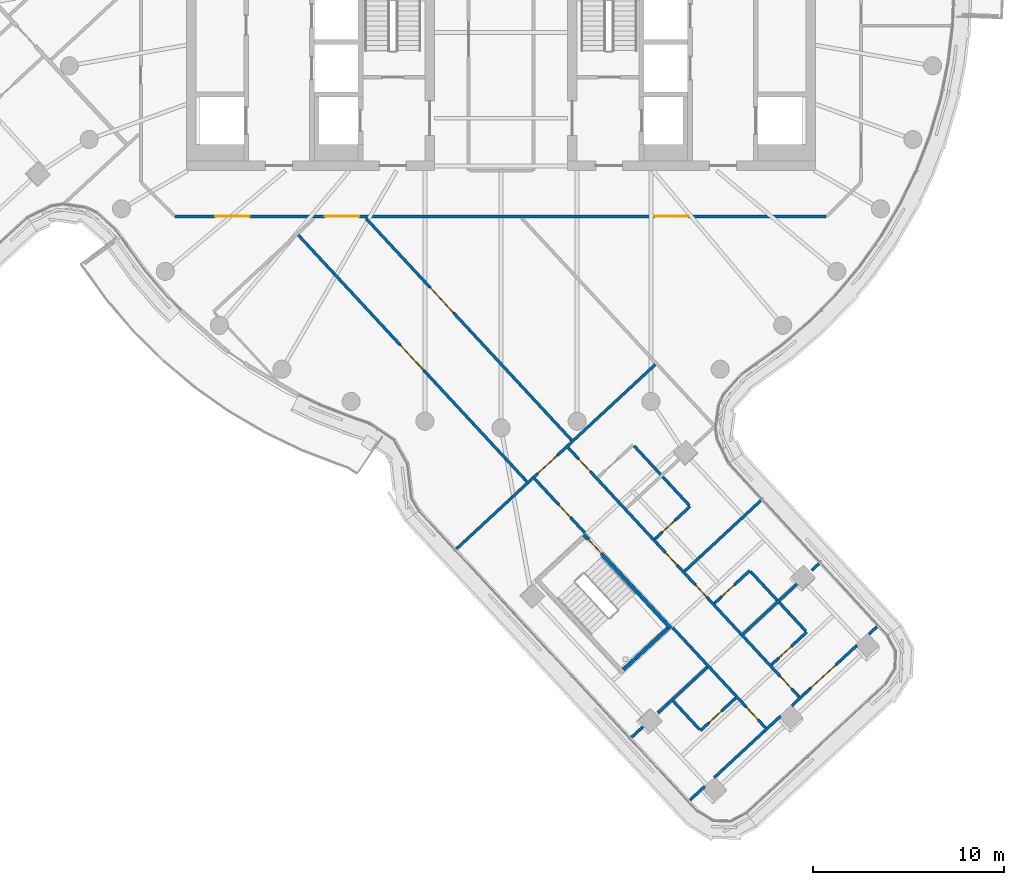
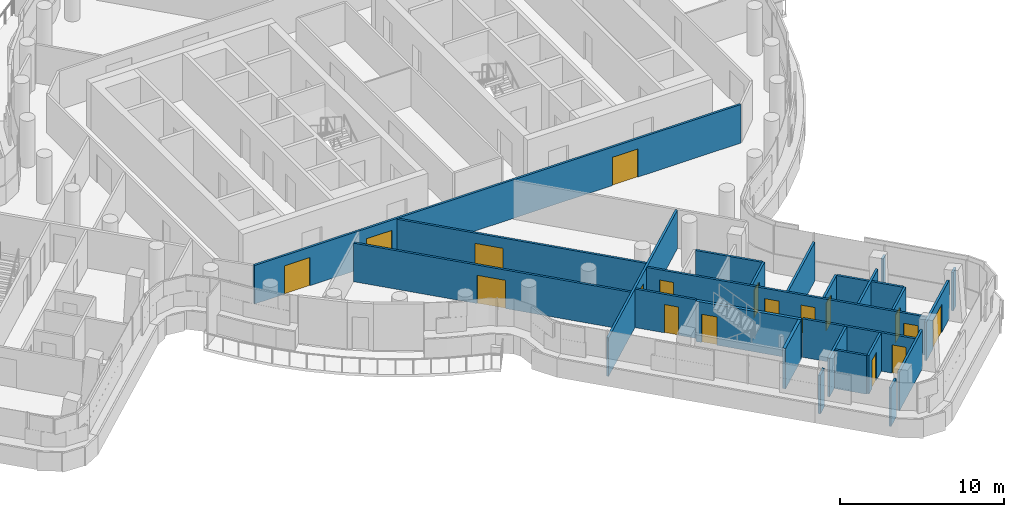
# One storey, part 21 of 34: 25 walls, 18 doors, 18 openings.
"""IFC4 building model written with IfcOpenShell, lengths in metres."""

import ifcopenshell
import ifcopenshell.guid

model = None  # the IFC model being written
_history = None  # IfcOwnerHistory: only IFC2X3 demands one
_inside = {}  # id of a spatial element -> (the spatial element, [elements in it])
_under = {}  # id of a project, library or spatial element -> (it, [spatial elements below it])
_declared = {}  # id of a project -> (the project, [libraries it declares])
_typed = {}  # id of a type object -> (the type object, [elements of that type])
_made_of = {}  # id of a material, layer set ... -> (it, [elements and type objects made of it])


def new_model(schema):
    """Start an empty IFC model of exactly this schema.

    Asked for "IFC4X3", IfcOpenShell would pick the latest addendum, in which some entities
    have other attributes; the version numbers below select the first issue.
    IFC2X3 requires an IfcOwnerHistory on every rooted entity: one is made here for all.
    """
    global model, _history
    if schema == "IFC4X3":
        model = ifcopenshell.file(schema_version=(4, 3, 0, 0))
    else:
        model = ifcopenshell.file(schema=schema)
    _inside.clear()
    _under.clear()
    _declared.clear()
    _typed.clear()
    _made_of.clear()
    _history = None
    if model.schema == "IFC2X3":
        org = make("IfcOrganization", Name="unknown")
        user = make(
            "IfcPersonAndOrganization",
            ThePerson=make("IfcPerson", FamilyName="unknown"),
            TheOrganization=org,
        )
        app = make(
            "IfcApplication",
            ApplicationDeveloper=org,
            Version="unknown",
            ApplicationFullName="unknown",
            ApplicationIdentifier="unknown",
        )
        _history = make(
            "IfcOwnerHistory",
            OwningUser=user,
            OwningApplication=app,
            ChangeAction="ADDED",
            CreationDate=0,
        )
    return model


def make(cls, **values):
    """One entity of the class cls with the attributes given. An attribute that is None is left unset."""
    return model.create_entity(
        cls, **{name: value for name, value in values.items() if value is not None}
    )


def rooted(cls, **values):
    """An entity with a GlobalId (a new one), such as an element, a storey or a relation."""
    return make(cls, GlobalId=ifcopenshell.guid.new(), OwnerHistory=_history, **values)


def si_unit(unit_type, name, prefix=None):
    """IfcSIUnit, for example si_unit("LENGTHUNIT", "METRE", prefix="MILLI")."""
    return make("IfcSIUnit", UnitType=unit_type, Prefix=prefix, Name=name)


def assignment(units):
    """IfcUnitAssignment: the units of a project."""
    return None if units is None else make("IfcUnitAssignment", Units=units)


def point(xyz):
    """IfcCartesianPoint."""
    return None if xyz is None else make("IfcCartesianPoint", Coordinates=xyz)


def direction(xyz):
    """IfcDirection."""
    return None if xyz is None else make("IfcDirection", DirectionRatios=xyz)


def frame(location, z_axis=None, x_axis=None):
    """IfcAxis2Placement3D, a coordinate frame: its origin and axes. An axis left out is left unset."""
    return make(
        "IfcAxis2Placement3D",
        Location=point(location),
        Axis=direction(z_axis),
        RefDirection=direction(x_axis),
    )


def frame_2d(location, x_axis=None):
    """IfcAxis2Placement2D, a coordinate frame in the plane: its origin and x axis."""
    return make(
        "IfcAxis2Placement2D", Location=point(location), RefDirection=direction(x_axis)
    )


def origin():
    """The frame at (0, 0, 0) with its axes left unset."""
    return frame((0.0, 0.0, 0.0))


def place(relative_to, where):
    """IfcLocalPlacement: puts the frame where relative to a parent placement (None: the world)."""
    return make(
        "IfcLocalPlacement", PlacementRelTo=relative_to, RelativePlacement=where
    )


def context(
    kind, dimensions, precision=None, world=None, true_north=None, identifier=None
):
    """IfcGeometricRepresentationContext, for example the 3D "Model" context."""
    return make(
        "IfcGeometricRepresentationContext",
        ContextIdentifier=identifier,
        ContextType=kind,
        CoordinateSpaceDimension=dimensions,
        Precision=precision,
        WorldCoordinateSystem=world,
        TrueNorth=true_north,
    )


def subcontext(parent, identifier, kind, view, scale=None):
    """IfcGeometricRepresentationSubContext, for example "Body" below "Model"."""
    return make(
        "IfcGeometricRepresentationSubContext",
        ContextIdentifier=identifier,
        ContextType=kind,
        ParentContext=parent,
        TargetScale=scale,
        TargetView=view,
    )


def project(units=None, contexts=None):
    """IfcProject with its units and contexts."""
    return rooted(
        "IfcProject",
        Name="project",
        RepresentationContexts=contexts,
        UnitsInContext=assignment(units),
    )


def spatial(cls, under=None, at=None, **own):
    """A site, building, storey or space (cls), placed at a placement, below another one or the project."""
    s = rooted(cls, ObjectPlacement=at, **own)
    if under is not None:
        _under.setdefault(under.id(), (under, []))[1].append(s)
    return s


def polyline(points):
    """IfcPolyline through the points."""
    return make("IfcPolyline", Points=[point(p) for p in points])


def profile(cls, at=None, kind="AREA", **sizes):
    """A parametric profile (cls). Its sizes go by their IFC names, for example OverallWidth=200.0."""
    return make(cls, ProfileType=kind, Position=at, **sizes)


def rectangle(**sizes):
    """IfcRectangleProfileDef."""
    return profile("IfcRectangleProfileDef", **sizes)


def outline(outer, holes=None, kind="AREA"):
    """IfcArbitraryClosedProfileDef: a profile drawn as a closed curve; with holes, ...WithVoids."""
    if holes is None:
        return make("IfcArbitraryClosedProfileDef", ProfileType=kind, OuterCurve=outer)
    return make(
        "IfcArbitraryProfileDefWithVoids",
        ProfileType=kind,
        OuterCurve=outer,
        InnerCurves=holes,
    )


def extrude(swept, where, along, depth):
    """IfcExtrudedAreaSolid: the profile swept, set in the frame where, extruded along a direction by depth."""
    return make(
        "IfcExtrudedAreaSolid",
        SweptArea=swept,
        Position=where,
        ExtrudedDirection=direction(along),
        Depth=depth,
    )


def shape(context_of_items, identifier, shape_type, items):
    """IfcShapeRepresentation: the items that make up one representation, for example the "Body"."""
    return make(
        "IfcShapeRepresentation",
        ContextOfItems=context_of_items,
        RepresentationIdentifier=identifier,
        RepresentationType=shape_type,
        Items=items,
    )


def material(Name=None, Category=None):
    """IfcMaterial."""
    return make("IfcMaterial", Name=Name, Category=Category)


def layer(
    of_material, thickness, ventilated=None, Name=None, Category=None, Priority=None
):
    """IfcMaterialLayer: one layer of a wall or slab, of a material (None: an air gap)."""
    return make(
        "IfcMaterialLayer",
        Material=of_material,
        LayerThickness=thickness,
        IsVentilated=ventilated,
        Name=Name,
        Category=Category,
        Priority=Priority,
    )


def layer_set(layers, Name=None):
    """IfcMaterialLayerSet."""
    return make("IfcMaterialLayerSet", MaterialLayers=layers, LayerSetName=Name)


def made_of(thing, what):
    """Note that an element or type object is made of a material, layer set ...; save() writes the relation."""
    if what is not None:
        _made_of.setdefault(what.id(), (what, []))[1].append(thing)
    return thing


def type_object(cls, material=None, **own):
    """A type object (cls), such as IfcWallType, which elements share."""
    return made_of(rooted(cls, **own), material)


def element(
    cls,
    number,
    at=None,
    inside=None,
    cuts=None,
    type_object=None,
    material=None,
    context=None,
    identifier="Body",
    shape_type=None,
    held_by="IfcProductDefinitionShape",
    body=None,
    shapes=None,
    **own,
):
    """One element of the class cls, such as IfcWall. Its Tag is "e" and its number.

    at: its placement. inside: the storey or other place that contains it. cuts: it is an
    opening in that element (IfcRelVoidsElement). A single representation is given by context,
    identifier, shape_type and body (its items); several are given by shapes. held_by: the class
    of the entity that holds the representations. save() writes the other relations.
    """
    e = rooted(cls, Tag="e%d" % number, ObjectPlacement=at, **own)
    if body is not None:
        shapes = [shape(context, identifier, shape_type, body)]
    if shapes is not None:
        e.Representation = make(held_by, Representations=shapes)
    if inside is not None:
        _inside.setdefault(inside.id(), (inside, []))[1].append(e)
    if cuts is not None:
        rooted(
            "IfcRelVoidsElement", RelatingBuildingElement=cuts, RelatedOpeningElement=e
        )
    if type_object is not None:
        _typed.setdefault(type_object.id(), (type_object, []))[1].append(e)
    return made_of(e, material)


def fill(opening, filler):
    """IfcRelFillsElement: the door or window that sits in an opening."""
    return rooted(
        "IfcRelFillsElement",
        RelatingOpeningElement=opening,
        RelatedBuildingElement=filler,
    )


def aggregate(whole, parts):
    """IfcRelAggregates: a whole, such as a stair, and the parts it consists of."""
    return rooted("IfcRelAggregates", RelatingObject=whole, RelatedObjects=parts)


def save(model, path):
    """Write the relations noted so far, then the file.

    IfcRelAggregates (storeys below a building ...), IfcRelContainedInSpatialStructure (elements
    in a storey), IfcRelDefinesByType, IfcRelAssociatesMaterial and IfcRelDeclares: one each for
    every whole, place, type object, material and project.
    """
    for whole, parts in _under.values():
        aggregate(whole, parts)
    for where, things in _inside.values():
        rooted(
            "IfcRelContainedInSpatialStructure",
            RelatedElements=things,
            RelatingStructure=where,
        )
    for kind, things in _typed.values():
        rooted("IfcRelDefinesByType", RelatedObjects=things, RelatingType=kind)
    for what, things in _made_of.values():
        rooted("IfcRelAssociatesMaterial", RelatedObjects=things, RelatingMaterial=what)
    for by, libraries in _declared.values():
        rooted("IfcRelDeclares", RelatingContext=by, RelatedDefinitions=libraries)
    model.write(path)


model = new_model("IFC4")

# Units and contexts
model_context = context("Model", 3, precision=1e-05, world=origin(), true_north=direction((0.0, 1.0)))
body_context = subcontext(model_context, "Body", "Model", "MODEL_VIEW")
ifc_project = project(units=[si_unit("LENGTHUNIT", "METRE"), si_unit("AREAUNIT", "SQUARE_METRE"), si_unit("VOLUMEUNIT", "CUBIC_METRE"), si_unit("PLANEANGLEUNIT", "RADIAN"), si_unit("MASSUNIT", "GRAM", prefix="KILO")], contexts=[model_context])

# Site, building, storey
site_placement = place(None, origin())
site = spatial("IfcSite", under=ifc_project, at=site_placement, CompositionType="ELEMENT")
building_placement = place(site_placement, origin())
building = spatial("IfcBuilding", under=site, at=building_placement, Name="Tamarind Cross Interchange Tower", CompositionType="ELEMENT")
storey_placement = place(building_placement, frame((0.0, 0.0, 189.699951171875)))
storey = spatial("IfcBuildingStorey", under=building, at=storey_placement, Name="L47", CompositionType="ELEMENT", Elevation=189.699951171875)

# Wall, opening, door
ifc_material_1 = material(Name="Gypsum board partition on steel studs", Category="steel")
ifc_layer_1 = layer(ifc_material_1, 0.14990234375)
ifc_layer_set_1 = layer_set([ifc_layer_1], Name="Gypsum board partition on steel studs")
wall_type_1 = type_object("IfcWallType", Name="Partition 150 mm EI 120", PredefinedType="PARTITIONING", material=ifc_layer_set_1)
wall_1_placement = place(storey_placement, frame((-10.6376953125, -12.880615234375, 0.0), z_axis=(0.0, 0.0, 1.0), x_axis=(0.679925356206, -0.733281330724, 0.0)))
wall_1 = element("IfcWall", 1, at=wall_1_placement, inside=storey, type_object=wall_type_1, Name="Partition L47-017", PredefinedType="PARTITIONING", context=body_context, shape_type="SweptSolid", body=[
    extrude(rectangle(XDim=17.639404296875, YDim=0.14990234375, at=frame_2d((8.81982421875, 0.0))), origin(), (0.0, 0.0, 1.0), 2.864013671875),
])
opening_1_placement = place(wall_1_placement, frame((7.8701171875, 0.0, 0.0)))
opening_1 = element("IfcOpeningElement", 2, at=opening_1_placement, cuts=wall_1, Name="Opening D11", PredefinedType="OPENING", context=body_context, shape_type="SweptSolid", body=[
    extrude(rectangle(XDim=1.800048828125, YDim=2.10009765625, at=frame_2d((0.89990234375, 1.050048828125))), frame((0.0, 0.0849609375, 0.0), z_axis=(0.0, -1.0, 0.0), x_axis=(1.0, 0.0, 0.0)), (0.0, 0.0, 1.0), 0.169921875),
])
ifc_material_2 = material(Name="Fire-resisting door set")
door_type_1 = type_object("IfcDoorType", Name="Interior door 1800 x 2100 FD60S", OperationType="DOUBLE_DOOR_SINGLE_SWING", PredefinedType="DOOR", material=ifc_material_2)
door_1_placement = place(opening_1_placement, frame((1.800048828125, 0.0, 0.0), z_axis=(0.0, 0.0, 1.0), x_axis=(-1.0, 0.0, 0.0)))
door_1 = element("IfcDoor", 3, at=door_1_placement, inside=storey, type_object=door_type_1, Name="Door D11", OperationType="DOUBLE_DOOR_SINGLE_SWING", OverallHeight=2.10009765625, OverallWidth=1.800048828125, PredefinedType="DOOR", context=body_context, shape_type="SweptSolid", body=[
    extrude(rectangle(XDim=1.800048828125, YDim=2.10009765625, at=frame_2d((0.89990234375, 1.050048828125))), frame((0.0, 0.02490234375, 0.0), z_axis=(0.0, -1.0, 0.0), x_axis=(1.0, 0.0, 0.0)), (0.0, 0.0, 1.0), 0.050048828125),
])
fill(opening_1, door_1)

wall_2_placement = place(storey_placement, frame((-7.08447265625, -12.00634765625, 0.0), z_axis=(0.0, 0.0, 1.0), x_axis=(0.679912033417, -0.733293683877, 0.0)))
wall_2 = element("IfcWall", 4, at=wall_2_placement, inside=storey, type_object=wall_type_1, Name="Partition L47-019", PredefinedType="PARTITIONING", context=body_context, shape_type="SweptSolid", body=[
    extrude(rectangle(XDim=15.865478515625, YDim=0.14990234375, at=frame_2d((7.9326171875, 0.0))), origin(), (0.0, 0.0, 1.0), 2.864013671875),
])
opening_2_placement = place(wall_2_placement, frame((4.955078125, 0.0, 0.0)))
opening_2 = element("IfcOpeningElement", 5, at=opening_2_placement, cuts=wall_2, Name="Opening D12", PredefinedType="OPENING", context=body_context, shape_type="SweptSolid", body=[
    extrude(rectangle(XDim=1.800048828125, YDim=2.10009765625, at=frame_2d((0.89990234375, 1.050048828125))), frame((0.0, 0.0849609375, 0.0), z_axis=(0.0, -1.0, 0.0), x_axis=(1.0, 0.0, 0.0)), (0.0, 0.0, 1.0), 0.169921875),
])
door_2_placement = place(opening_2_placement, origin())
door_2 = element("IfcDoor", 6, at=door_2_placement, inside=storey, type_object=door_type_1, Name="Door D12", OperationType="DOUBLE_DOOR_SINGLE_SWING", OverallHeight=2.10009765625, OverallWidth=1.800048828125, PredefinedType="DOOR", context=body_context, shape_type="SweptSolid", body=[
    extrude(rectangle(XDim=1.800048828125, YDim=2.10009765625, at=frame_2d((0.89990234375, 1.050048828125))), frame((0.0, 0.02490234375, 0.0), z_axis=(0.0, -1.0, 0.0), x_axis=(1.0, 0.0, 0.0)), (0.0, 0.0, 1.0), 0.050048828125),
])
fill(opening_2, door_2)

wall_3_placement = place(storey_placement, frame((1.75830078125, -25.66064453125, 0.0), z_axis=(0.0, 0.0, 1.0), x_axis=(0.679825753993, -0.733373672972, 0.0)))
wall_3 = element("IfcWall", 7, at=wall_3_placement, inside=storey, type_object=wall_type_1, Name="Partition L47-026", PredefinedType="PARTITIONING", context=body_context, shape_type="SweptSolid", body=[
    extrude(rectangle(XDim=3.8798828125, YDim=0.14990234375, at=frame_2d((1.93994140625, 0.0))), origin(), (0.0, 0.0, 1.0), 2.864013671875),
])
opening_3_placement = place(wall_3_placement, frame((1.8701171875, 0.0, 0.0)))
opening_3 = element("IfcOpeningElement", 8, at=opening_3_placement, cuts=wall_3, Name="Opening D16", PredefinedType="OPENING", context=body_context, shape_type="SweptSolid", body=[
    extrude(rectangle(XDim=0.89990234375, YDim=2.10009765625, at=frame_2d((0.449951171875, 1.050048828125))), frame((0.0, 0.0849609375, 0.0), z_axis=(0.0, -1.0, 0.0), x_axis=(1.0, 0.0, 0.0)), (0.0, 0.0, 1.0), 0.169921875),
])
door_type_2 = type_object("IfcDoorType", Name="Interior door 900 x 2100 FD60S", OperationType="SINGLE_SWING_LEFT", PredefinedType="DOOR", material=ifc_material_2)
door_3_placement = place(opening_3_placement, frame((0.89990234375, 0.0, 0.0), z_axis=(0.0, 0.0, 1.0), x_axis=(-1.0, 0.0, 0.0)))
door_3 = element("IfcDoor", 9, at=door_3_placement, inside=storey, type_object=door_type_2, Name="Door D16", OperationType="SINGLE_SWING_RIGHT", OverallHeight=2.10009765625, OverallWidth=0.89990234375, PredefinedType="DOOR", context=body_context, shape_type="SweptSolid", body=[
    extrude(rectangle(XDim=0.89990234375, YDim=2.10009765625, at=frame_2d((0.449951171875, 1.050048828125))), frame((0.0, 0.02490234375, 0.0), z_axis=(0.0, -1.0, 0.0), x_axis=(1.0, 0.0, 0.0)), (0.0, 0.0, 1.0), 0.050048828125),
])
fill(opening_3, door_3)

wall_4_placement = place(storey_placement, frame((9.005126953125, -33.478515625, 0.0), z_axis=(0.0, 0.0, 1.0), x_axis=(0.679805259982, -0.733392670062, 0.0)))
wall_4 = element("IfcWall", 10, at=wall_4_placement, inside=storey, type_object=wall_type_1, Name="Partition L47-027", PredefinedType="PARTITIONING", context=body_context, shape_type="SweptSolid", body=[
    extrude(rectangle(XDim=7.18017578125, YDim=0.14990234375, at=frame_2d((3.590087890625, 0.0))), origin(), (0.0, 0.0, 1.0), 2.864013671875),
])
opening_4_placement = place(wall_4_placement, frame((5.709716796875, 0.0, 0.0)))
opening_4 = element("IfcOpeningElement", 11, at=opening_4_placement, cuts=wall_4, Name="Opening D17", PredefinedType="OPENING", context=body_context, shape_type="SweptSolid", body=[
    extrude(rectangle(XDim=0.89990234375, YDim=2.10009765625, at=frame_2d((0.449951171875, 1.050048828125))), frame((0.0, 0.0849609375, 0.0), z_axis=(0.0, -1.0, 0.0), x_axis=(1.0, 0.0, 0.0)), (0.0, 0.0, 1.0), 0.169921875),
])
door_4_placement = place(opening_4_placement, frame((0.89990234375, 0.0, 0.0), z_axis=(0.0, 0.0, 1.0), x_axis=(-1.0, 0.0, 0.0)))
door_4 = element("IfcDoor", 12, at=door_4_placement, inside=storey, type_object=door_type_2, Name="Door D17", OperationType="SINGLE_SWING_RIGHT", OverallHeight=2.10009765625, OverallWidth=0.89990234375, PredefinedType="DOOR", context=body_context, shape_type="SweptSolid", body=[
    extrude(rectangle(XDim=0.89990234375, YDim=2.10009765625, at=frame_2d((0.449951171875, 1.050048828125))), frame((0.0, 0.02490234375, 0.0), z_axis=(0.0, -1.0, 0.0), x_axis=(1.0, 0.0, 0.0)), (0.0, 0.0, 1.0), 0.050048828125),
])
fill(opening_4, door_4)

# Wall, openings, doors
wall_5_placement = place(storey_placement, frame((3.518310546875, -24.02978515625, 0.0), z_axis=(0.0, 0.0, 1.0), x_axis=(0.679916551619, -0.733289494562, 0.0)))
wall_5 = element("IfcWall", 13, at=wall_5_placement, inside=storey, type_object=wall_type_1, Name="Partition L47-028", PredefinedType="PARTITIONING", context=body_context, shape_type="SweptSolid", body=[
    extrude(rectangle(XDim=17.839599609375, YDim=0.14990234375, at=frame_2d((8.919921875, 0.0))), origin(), (0.0, 0.0, 1.0), 2.864013671875),
])
opening_5_placement = place(wall_5_placement, frame((0.820068359375, 0.0, 0.0)))
opening_5 = element("IfcOpeningElement", 14, at=opening_5_placement, cuts=wall_5, Name="Opening D18", PredefinedType="OPENING", context=body_context, shape_type="SweptSolid", body=[
    extrude(rectangle(XDim=0.89990234375, YDim=2.10009765625, at=frame_2d((0.449951171875, 1.050048828125))), frame((0.0, 0.0849609375, 0.0), z_axis=(0.0, -1.0, 0.0), x_axis=(1.0, 0.0, 0.0)), (0.0, 0.0, 1.0), 0.169921875),
])
opening_6_placement = place(wall_5_placement, frame((7.519775390625, 0.0, 0.0)))
opening_6 = element("IfcOpeningElement", 15, at=opening_6_placement, cuts=wall_5, Name="Opening D19", PredefinedType="OPENING", context=body_context, shape_type="SweptSolid", body=[
    extrude(rectangle(XDim=0.89990234375, YDim=2.10009765625, at=frame_2d((0.449951171875, 1.050048828125))), frame((0.0, 0.0849609375, 0.0), z_axis=(0.0, -1.0, 0.0), x_axis=(1.0, 0.0, 0.0)), (0.0, 0.0, 1.0), 0.169921875),
])
opening_7_placement = place(wall_5_placement, frame((9.8193359375, 0.0, 0.0)))
opening_7 = element("IfcOpeningElement", 16, at=opening_7_placement, cuts=wall_5, Name="Opening D20", PredefinedType="OPENING", context=body_context, shape_type="SweptSolid", body=[
    extrude(rectangle(XDim=0.89990234375, YDim=2.10009765625, at=frame_2d((0.449951171875, 1.050048828125))), frame((0.0, 0.0849609375, 0.0), z_axis=(0.0, -1.0, 0.0), x_axis=(1.0, 0.0, 0.0)), (0.0, 0.0, 1.0), 0.169921875),
])
opening_8_placement = place(wall_5_placement, frame((16.369140625, 0.0, 0.0)))
opening_8 = element("IfcOpeningElement", 17, at=opening_8_placement, cuts=wall_5, Name="Opening D21", PredefinedType="OPENING", context=body_context, shape_type="SweptSolid", body=[
    extrude(rectangle(XDim=0.89990234375, YDim=2.10009765625, at=frame_2d((0.449951171875, 1.050048828125))), frame((0.0, 0.0849609375, 0.0), z_axis=(0.0, -1.0, 0.0), x_axis=(1.0, 0.0, 0.0)), (0.0, 0.0, 1.0), 0.169921875),
])
door_5_placement = place(opening_5_placement, origin())
door_5 = element("IfcDoor", 18, at=door_5_placement, inside=storey, type_object=door_type_2, Name="Door D18", OperationType="SINGLE_SWING_RIGHT", OverallHeight=2.10009765625, OverallWidth=0.89990234375, PredefinedType="DOOR", context=body_context, shape_type="SweptSolid", body=[
    extrude(rectangle(XDim=0.89990234375, YDim=2.10009765625, at=frame_2d((0.449951171875, 1.050048828125))), frame((0.0, 0.02490234375, 0.0), z_axis=(0.0, -1.0, 0.0), x_axis=(1.0, 0.0, 0.0)), (0.0, 0.0, 1.0), 0.050048828125),
])
fill(opening_5, door_5)
door_6_placement = place(opening_6_placement, origin())
door_6 = element("IfcDoor", 19, at=door_6_placement, inside=storey, type_object=door_type_2, Name="Door D19", OperationType="SINGLE_SWING_RIGHT", OverallHeight=2.10009765625, OverallWidth=0.89990234375, PredefinedType="DOOR", context=body_context, shape_type="SweptSolid", body=[
    extrude(rectangle(XDim=0.89990234375, YDim=2.10009765625, at=frame_2d((0.449951171875, 1.050048828125))), frame((0.0, 0.02490234375, 0.0), z_axis=(0.0, -1.0, 0.0), x_axis=(1.0, 0.0, 0.0)), (0.0, 0.0, 1.0), 0.050048828125),
])
fill(opening_6, door_6)
door_7_placement = place(opening_7_placement, origin())
door_7 = element("IfcDoor", 20, at=door_7_placement, inside=storey, type_object=door_type_2, Name="Door D20", OperationType="SINGLE_SWING_LEFT", OverallHeight=2.10009765625, OverallWidth=0.89990234375, PredefinedType="DOOR", context=body_context, shape_type="SweptSolid", body=[
    extrude(rectangle(XDim=0.89990234375, YDim=2.10009765625, at=frame_2d((0.449951171875, 1.050048828125))), frame((0.0, 0.02490234375, 0.0), z_axis=(0.0, -1.0, 0.0), x_axis=(1.0, 0.0, 0.0)), (0.0, 0.0, 1.0), 0.050048828125),
])
fill(opening_7, door_7)
door_8_placement = place(opening_8_placement, origin())
door_8 = element("IfcDoor", 21, at=door_8_placement, inside=storey, type_object=door_type_2, Name="Door D21", OperationType="SINGLE_SWING_LEFT", OverallHeight=2.10009765625, OverallWidth=0.89990234375, PredefinedType="DOOR", context=body_context, shape_type="SweptSolid", body=[
    extrude(rectangle(XDim=0.89990234375, YDim=2.10009765625, at=frame_2d((0.449951171875, 1.050048828125))), frame((0.0, 0.02490234375, 0.0), z_axis=(0.0, -1.0, 0.0), x_axis=(1.0, 0.0, 0.0)), (0.0, 0.0, 1.0), 0.050048828125),
])
fill(opening_8, door_8)

# Walls
wall_6_placement = place(storey_placement, frame((6.985107421875, -23.944091796875, 0.0), z_axis=(0.0, 0.0, 1.0), x_axis=(0.679774461663, -0.733421216812, 0.0)))
element("IfcWall", 22, at=wall_6_placement, inside=storey, type_object=wall_type_1, Name="Partition L47-029", PredefinedType="PARTITIONING", context=body_context, shape_type="SweptSolid", body=[
    extrude(rectangle(XDim=4.25048828125, YDim=0.14990234375, at=frame_2d((2.125244140625, 0.0))), origin(), (0.0, 0.0, 1.0), 2.864013671875),
])
wall_7_placement = place(storey_placement, frame((13.103271484375, -30.544921875, 0.0), z_axis=(0.0, 0.0, 1.0), x_axis=(0.67977145537, -0.733424003196, 0.0)))
element("IfcWall", 23, at=wall_7_placement, inside=storey, type_object=wall_type_1, Name="Partition L47-030", PredefinedType="PARTITIONING", context=body_context, shape_type="SweptSolid", body=[
    extrude(rectangle(XDim=4.24560546875, YDim=0.14990234375, at=frame_2d((2.122802734375, 0.0))), origin(), (0.0, 0.0, 1.0), 2.864013671875),
])
wall_8_placement = place(storey_placement, frame((9.030517578125, -37.32861328125, 0.0), z_axis=(0.0, 0.0, 1.0), x_axis=(0.67997924921, -0.73323135547, 0.0)))
element("IfcWall", 24, at=wall_8_placement, inside=storey, type_object=wall_type_1, Name="Partition L47-031", PredefinedType="PARTITIONING", context=body_context, shape_type="SweptSolid", body=[
    extrude(rectangle(XDim=2.044677734375, YDim=0.14990234375, at=frame_2d((1.0224609375, 0.0))), origin(), (0.0, 0.0, 1.0), 2.864013671875),
])

# Wall, openings, doors
wall_9_placement = place(storey_placement, frame((-17.10009765625, -11.89990234375, 0.0), z_axis=(0.0, 0.0, 1.0), x_axis=(1.0, 0.0, 0.0)))
wall_9 = element("IfcWall", 25, at=wall_9_placement, inside=storey, type_object=wall_type_1, Name="Partition L47-036", PredefinedType="PARTITIONING", context=body_context, shape_type="SweptSolid", body=[
    extrude(rectangle(XDim=34.1650390625, YDim=0.14990234375, at=frame_2d((17.08251953125, 0.0))), origin(), (0.0, 0.0, 1.0), 2.864013671875),
])
opening_9_placement = place(wall_9_placement, frame((7.85205078125, 0.0, 0.0)))
opening_9 = element("IfcOpeningElement", 26, at=opening_9_placement, cuts=wall_9, Name="Opening D22", PredefinedType="OPENING", context=body_context, shape_type="SweptSolid", body=[
    extrude(rectangle(XDim=1.800048828125, YDim=2.10009765625, at=frame_2d((0.89990234375, 1.050048828125))), frame((0.0, 0.0849609375, 0.0), z_axis=(0.0, -1.0, 0.0), x_axis=(1.0, 0.0, 0.0)), (0.0, 0.0, 1.0), 0.169921875),
])
opening_10_placement = place(wall_9_placement, frame((2.10009765625, 0.0, 0.0)))
opening_10 = element("IfcOpeningElement", 27, at=opening_10_placement, cuts=wall_9, Name="Opening D23", PredefinedType="OPENING", context=body_context, shape_type="SweptSolid", body=[
    extrude(rectangle(XDim=1.800048828125, YDim=2.10009765625, at=frame_2d((0.89990234375, 1.050048828125))), frame((0.0, 0.0849609375, 0.0), z_axis=(0.0, -1.0, 0.0), x_axis=(1.0, 0.0, 0.0)), (0.0, 0.0, 1.0), 0.169921875),
])
opening_11_placement = place(wall_9_placement, frame((25.14892578125, 0.0, 0.0)))
opening_11 = element("IfcOpeningElement", 28, at=opening_11_placement, cuts=wall_9, Name="Opening D24", PredefinedType="OPENING", context=body_context, shape_type="SweptSolid", body=[
    extrude(rectangle(XDim=1.800048828125, YDim=2.10009765625, at=frame_2d((0.89990234375, 1.050048828125))), frame((0.0, 0.0849609375, 0.0), z_axis=(0.0, -1.0, 0.0), x_axis=(1.0, 0.0, 0.0)), (0.0, 0.0, 1.0), 0.169921875),
])
door_9_placement = place(opening_9_placement, origin())
door_9 = element("IfcDoor", 29, at=door_9_placement, inside=storey, type_object=door_type_1, Name="Door D22", OperationType="DOUBLE_DOOR_SINGLE_SWING", OverallHeight=2.10009765625, OverallWidth=1.800048828125, PredefinedType="DOOR", context=body_context, shape_type="SweptSolid", body=[
    extrude(rectangle(XDim=1.800048828125, YDim=2.10009765625, at=frame_2d((0.89990234375, 1.050048828125))), frame((0.0, 0.02490234375, 0.0), z_axis=(0.0, -1.0, 0.0), x_axis=(1.0, 0.0, 0.0)), (0.0, 0.0, 1.0), 0.050048828125),
])
fill(opening_9, door_9)
door_10_placement = place(opening_10_placement, frame((1.800048828125, 0.0, 0.0), z_axis=(0.0, 0.0, 1.0), x_axis=(-1.0, 0.0, 0.0)))
door_10 = element("IfcDoor", 30, at=door_10_placement, inside=storey, type_object=door_type_1, Name="Door D23", OperationType="DOUBLE_DOOR_SINGLE_SWING", OverallHeight=2.10009765625, OverallWidth=1.800048828125, PredefinedType="DOOR", context=body_context, shape_type="SweptSolid", body=[
    extrude(rectangle(XDim=1.800048828125, YDim=2.10009765625, at=frame_2d((0.89990234375, 1.050048828125))), frame((0.0, 0.02490234375, 0.0), z_axis=(0.0, -1.0, 0.0), x_axis=(1.0, 0.0, 0.0)), (0.0, 0.0, 1.0), 0.050048828125),
])
fill(opening_10, door_10)
door_11_placement = place(opening_11_placement, frame((1.800048828125, 0.0, 0.0), z_axis=(0.0, 0.0, 1.0), x_axis=(-1.0, 0.0, 0.0)))
door_11 = element("IfcDoor", 31, at=door_11_placement, inside=storey, type_object=door_type_1, Name="Door D24", OperationType="DOUBLE_DOOR_SINGLE_SWING", OverallHeight=2.10009765625, OverallWidth=1.800048828125, PredefinedType="DOOR", context=body_context, shape_type="SweptSolid", body=[
    extrude(rectangle(XDim=1.800048828125, YDim=2.10009765625, at=frame_2d((0.89990234375, 1.050048828125))), frame((0.0, 0.02490234375, 0.0), z_axis=(0.0, -1.0, 0.0), x_axis=(1.0, 0.0, 0.0)), (0.0, 0.0, 1.0), 0.050048828125),
])
fill(opening_11, door_11)

# Wall, opening, door
wall_10_placement = place(storey_placement, frame((-2.328369140625, -29.341552734375, 0.0), z_axis=(0.0, 0.0, 1.0), x_axis=(0.73323547054, 0.679974811844, 0.0)))
wall_10 = element("IfcWall", 32, at=wall_10_placement, inside=storey, type_object=wall_type_1, Name="Partition L47-070", PredefinedType="PARTITIONING", context=body_context, shape_type="SweptSolid", body=[
    extrude(rectangle(XDim=14.21923828125, YDim=0.14990234375, at=frame_2d((7.109619140625, 0.0))), origin(), (0.0, 0.0, 1.0), 2.864013671875),
])
opening_12_placement = place(wall_10_placement, frame((5.799560546875, 0.0, 0.0)))
opening_12 = element("IfcOpeningElement", 33, at=opening_12_placement, cuts=wall_10, Name="Opening D40", PredefinedType="OPENING", context=body_context, shape_type="SweptSolid", body=[
    extrude(rectangle(XDim=1.39990234375, YDim=2.10009765625, at=frame_2d((0.699951171875, 1.050048828125))), frame((0.0, 0.0849609375, 0.0), z_axis=(0.0, -1.0, 0.0), x_axis=(1.0, 0.0, 0.0)), (0.0, 0.0, 1.0), 0.169921875),
])
door_type_3 = type_object("IfcDoorType", Name="Interior door 1400 x 2100 FD60S", OperationType="DOUBLE_DOOR_SINGLE_SWING", PredefinedType="DOOR", material=ifc_material_2)
door_12_placement = place(opening_12_placement, origin())
door_12 = element("IfcDoor", 34, at=door_12_placement, inside=storey, type_object=door_type_3, Name="Door D40", OperationType="DOUBLE_DOOR_SINGLE_SWING", OverallHeight=2.10009765625, OverallWidth=1.39990234375, PredefinedType="DOOR", context=body_context, shape_type="SweptSolid", body=[
    extrude(rectangle(XDim=1.39990234375, YDim=2.10009765625, at=frame_2d((0.699951171875, 1.050048828125))), frame((0.0, 0.02490234375, 0.0), z_axis=(0.0, -1.0, 0.0), x_axis=(1.0, 0.0, 0.0)), (0.0, 0.0, 1.0), 0.050048828125),
])
fill(opening_12, door_12)

# Walls
wall_11_placement = place(storey_placement, frame((6.849853515625, -39.240234375, 0.0), z_axis=(0.0, 0.0, 1.0), x_axis=(0.733426691731, 0.679768554624, 0.0)))
element("IfcWall", 35, at=wall_11_placement, inside=storey, type_object=wall_type_1, Name="Partition L47-074", PredefinedType="PARTITIONING", context=body_context, shape_type="SweptSolid", body=[
    extrude(rectangle(XDim=0.823486328125, YDim=0.14990234375, at=frame_2d((0.41162109375, 0.0))), origin(), (0.0, 0.0, 1.0), 2.864013671875),
])
wall_12_placement = place(storey_placement, frame((8.23388671875, -37.957763671875, 0.0), z_axis=(0.0, 0.0, 1.0), x_axis=(0.733482404063, 0.679708439649, 0.0)))
element("IfcWall", 36, at=wall_12_placement, inside=storey, type_object=wall_type_1, Name="Partition L47-075", PredefinedType="PARTITIONING", context=body_context, shape_type="SweptSolid", body=[
    extrude(rectangle(XDim=3.5322265625, YDim=0.14990234375, at=frame_2d((1.76611328125, 0.0))), origin(), (0.0, 0.0, 1.0), 2.864013671875),
])
wall_13_placement = place(storey_placement, frame((12.7021484375, -33.817138671875, 0.0), z_axis=(0.0, 0.0, 1.0), x_axis=(0.733495870694, 0.679693907339, 0.0)))
element("IfcWall", 37, at=wall_13_placement, inside=storey, type_object=wall_type_1, Name="Partition L47-076", PredefinedType="PARTITIONING", context=body_context, shape_type="SweptSolid", body=[
    extrude(rectangle(XDim=3.84814453125, YDim=0.14990234375, at=frame_2d((1.924072265625, 0.0))), origin(), (0.0, 0.0, 1.0), 2.864013671875),
])
wall_14_placement = place(storey_placement, frame((16.304443359375, -30.47900390625, 0.0), z_axis=(0.0, 0.0, 1.0), x_axis=(0.733486673351, 0.679703832574, 0.0)))
element("IfcWall", 38, at=wall_14_placement, inside=storey, type_object=wall_type_1, Name="Partition L47-077", PredefinedType="PARTITIONING", context=body_context, shape_type="SweptSolid", body=[
    extrude(rectangle(XDim=0.526611328125, YDim=0.14990234375, at=frame_2d((0.26318359375, 0.0))), origin(), (0.0, 0.0, 1.0), 2.864013671875),
])

# Wall, opening, door
wall_15_placement = place(storey_placement, frame((8.07763671875, -28.82958984375, 0.0), z_axis=(0.0, 0.0, 1.0), x_axis=(0.733334885153, 0.679867594623, 0.0)))
wall_15 = element("IfcWall", 39, at=wall_15_placement, inside=storey, type_object=wall_type_1, Name="Partition L47-078", PredefinedType="PARTITIONING", context=body_context, shape_type="SweptSolid", body=[
    extrude(rectangle(XDim=2.5205078125, YDim=0.14990234375, at=frame_2d((1.26025390625, 0.0))), origin(), (0.0, 0.0, 1.0), 2.864013671875),
])
opening_13_placement = place(wall_15_placement, frame((0.52001953125, 0.0, 0.0)))
opening_13 = element("IfcOpeningElement", 40, at=opening_13_placement, cuts=wall_15, Name="Opening D42", PredefinedType="OPENING", context=body_context, shape_type="SweptSolid", body=[
    extrude(rectangle(XDim=0.89990234375, YDim=2.10009765625, at=frame_2d((0.449951171875, 1.050048828125))), frame((0.0, 0.0849609375, 0.0), z_axis=(0.0, -1.0, 0.0), x_axis=(1.0, 0.0, 0.0)), (0.0, 0.0, 1.0), 0.169921875),
])
door_13_placement = place(opening_13_placement, origin())
door_13 = element("IfcDoor", 41, at=door_13_placement, inside=storey, type_object=door_type_2, Name="Door D42", OperationType="SINGLE_SWING_RIGHT", OverallHeight=2.10009765625, OverallWidth=0.89990234375, PredefinedType="DOOR", context=body_context, shape_type="SweptSolid", body=[
    extrude(rectangle(XDim=0.89990234375, YDim=2.10009765625, at=frame_2d((0.449951171875, 1.050048828125))), frame((0.0, 0.02490234375, 0.0), z_axis=(0.0, -1.0, 0.0), x_axis=(1.0, 0.0, 0.0)), (0.0, 0.0, 1.0), 0.050048828125),
])
fill(opening_13, door_13)

# Walls
wall_16_placement = place(storey_placement, frame((9.6416015625, -30.515625, 0.0), z_axis=(0.0, 0.0, 1.0), x_axis=(0.733242994102, 0.67996669889, 0.0)))
element("IfcWall", 42, at=wall_16_placement, inside=storey, type_object=wall_type_1, Name="Partition L47-079", PredefinedType="PARTITIONING", context=body_context, shape_type="SweptSolid", body=[
    extrude(rectangle(XDim=5.453125, YDim=0.14990234375, at=frame_2d((2.7265625, 0.0))), origin(), (0.0, 0.0, 1.0), 2.864013671875),
])
wall_17_placement = place(storey_placement, frame((9.90966796875, -42.540283203125, 0.0), z_axis=(0.0, 0.0, 1.0), x_axis=(0.733297111774, 0.679908336368, 0.0)))
element("IfcWall", 43, at=wall_17_placement, inside=storey, type_object=wall_type_1, Name="Partition L47-080", PredefinedType="PARTITIONING", context=body_context, shape_type="SweptSolid", body=[
    extrude(rectangle(XDim=1.070068359375, YDim=0.14990234375, at=frame_2d((0.53515625, 0.0))), origin(), (0.0, 0.0, 1.0), 2.864013671875),
])
wall_18_placement = place(storey_placement, frame((11.1875, -41.355712890625, 0.0), z_axis=(0.0, 0.0, 1.0), x_axis=(0.733318455245, 0.679885316209, 0.0)))
element("IfcWall", 44, at=wall_18_placement, inside=storey, type_object=wall_type_1, Name="Partition L47-081", PredefinedType="PARTITIONING", context=body_context, shape_type="SweptSolid", body=[
    extrude(rectangle(XDim=4.751953125, YDim=0.14990234375, at=frame_2d((2.3759765625, 0.0))), origin(), (0.0, 0.0, 1.0), 2.864013671875),
])

# Wall, opening, door
wall_19_placement = place(storey_placement, frame((15.259033203125, -37.580810546875, 0.0), z_axis=(0.0, 0.0, 1.0), x_axis=(0.733303207176, 0.679901762276, 0.0)))
wall_19 = element("IfcWall", 45, at=wall_19_placement, inside=storey, type_object=wall_type_1, Name="Partition L47-082", PredefinedType="PARTITIONING", context=body_context, shape_type="SweptSolid", body=[
    extrude(rectangle(XDim=4.67236328125, YDim=0.14990234375, at=frame_2d((2.336181640625, 0.0))), origin(), (0.0, 0.0, 1.0), 2.864013671875),
])
opening_14_placement = place(wall_19_placement, frame((1.35400390625, 0.0, 0.0)))
opening_14 = element("IfcOpeningElement", 46, at=opening_14_placement, cuts=wall_19, Name="Opening D43", PredefinedType="OPENING", context=body_context, shape_type="SweptSolid", body=[
    extrude(rectangle(XDim=1.800048828125, YDim=2.10009765625, at=frame_2d((0.89990234375, 1.050048828125))), frame((0.0, 0.0849609375, 0.0), z_axis=(0.0, -1.0, 0.0), x_axis=(1.0, 0.0, 0.0)), (0.0, 0.0, 1.0), 0.169921875),
])
door_14_placement = place(opening_14_placement, frame((1.800048828125, 0.0, 0.0), z_axis=(0.0, 0.0, 1.0), x_axis=(-1.0, 0.0, 0.0)))
door_14 = element("IfcDoor", 47, at=door_14_placement, inside=storey, type_object=door_type_1, Name="Door D43", OperationType="DOUBLE_DOOR_SINGLE_SWING", OverallHeight=2.10009765625, OverallWidth=1.800048828125, PredefinedType="DOOR", context=body_context, shape_type="SweptSolid", body=[
    extrude(rectangle(XDim=1.800048828125, YDim=2.10009765625, at=frame_2d((0.89990234375, 1.050048828125))), frame((0.0, 0.02490234375, 0.0), z_axis=(0.0, -1.0, 0.0), x_axis=(1.0, 0.0, 0.0)), (0.0, 0.0, 1.0), 0.050048828125),
])
fill(opening_14, door_14)

# Wall
wall_20_placement = place(storey_placement, frame((19.315185546875, -33.820068359375, 0.0), z_axis=(0.0, 0.0, 1.0), x_axis=(0.733368292931, 0.679831557758, 0.0)))
element("IfcWall", 48, at=wall_20_placement, inside=storey, type_object=wall_type_1, Name="Partition L47-083", PredefinedType="PARTITIONING", context=body_context, shape_type="SweptSolid", body=[
    extrude(rectangle(XDim=0.57470703125, YDim=0.14990234375, at=frame_2d((0.287353515625, 0.0))), origin(), (0.0, 0.0, 1.0), 2.864013671875),
])

# Wall, opening, door
wall_21_placement = place(storey_placement, frame((10.471923828125, -38.883056640625, 0.0), z_axis=(0.0, 0.0, 1.0), x_axis=(0.733155724399, 0.68006079418, 0.0)))
wall_21 = element("IfcWall", 49, at=wall_21_placement, inside=storey, type_object=wall_type_1, Name="Partition L47-084", PredefinedType="PARTITIONING", context=body_context, shape_type="SweptSolid", body=[
    extrude(rectangle(XDim=2.519775390625, YDim=0.14990234375, at=frame_2d((1.259765625, 0.0))), origin(), (0.0, 0.0, 1.0), 2.864013671875),
])
opening_15_placement = place(wall_21_placement, frame((0.60009765625, 0.0, 0.0)))
opening_15 = element("IfcOpeningElement", 50, at=opening_15_placement, cuts=wall_21, Name="Opening D44", PredefinedType="OPENING", context=body_context, shape_type="SweptSolid", body=[
    extrude(rectangle(XDim=0.89990234375, YDim=2.10009765625, at=frame_2d((0.449951171875, 1.050048828125))), frame((0.0, 0.0849609375, 0.0), z_axis=(0.0, -1.0, 0.0), x_axis=(1.0, 0.0, 0.0)), (0.0, 0.0, 1.0), 0.169921875),
])
door_15_placement = place(opening_15_placement, origin())
door_15 = element("IfcDoor", 51, at=door_15_placement, inside=storey, type_object=door_type_2, Name="Door D44", OperationType="SINGLE_SWING_RIGHT", OverallHeight=2.10009765625, OverallWidth=0.89990234375, PredefinedType="DOOR", context=body_context, shape_type="SweptSolid", body=[
    extrude(rectangle(XDim=0.89990234375, YDim=2.10009765625, at=frame_2d((0.449951171875, 1.050048828125))), frame((0.0, 0.02490234375, 0.0), z_axis=(0.0, -1.0, 0.0), x_axis=(1.0, 0.0, 0.0)), (0.0, 0.0, 1.0), 0.050048828125),
])
fill(opening_15, door_15)

wall_22_placement = place(storey_placement, frame((14.1962890625, -35.42822265625, 0.0), z_axis=(0.0, 0.0, 1.0), x_axis=(0.733155724399, 0.68006079418, 0.0)))
wall_22 = element("IfcWall", 52, at=wall_22_placement, inside=storey, type_object=wall_type_1, Name="Partition L47-085", PredefinedType="PARTITIONING", context=body_context, shape_type="SweptSolid", body=[
    extrude(rectangle(XDim=2.519775390625, YDim=0.14990234375, at=frame_2d((1.259765625, 0.0))), origin(), (0.0, 0.0, 1.0), 2.864013671875),
])
opening_16_placement = place(wall_22_placement, frame((0.52001953125, 0.0, 0.0)))
opening_16 = element("IfcOpeningElement", 53, at=opening_16_placement, cuts=wall_22, Name="Opening D45", PredefinedType="OPENING", context=body_context, shape_type="SweptSolid", body=[
    extrude(rectangle(XDim=0.89990234375, YDim=2.10009765625, at=frame_2d((0.449951171875, 1.050048828125))), frame((0.0, 0.0849609375, 0.0), z_axis=(0.0, -1.0, 0.0), x_axis=(1.0, 0.0, 0.0)), (0.0, 0.0, 1.0), 0.169921875),
])
door_16_placement = place(opening_16_placement, origin())
door_16 = element("IfcDoor", 54, at=door_16_placement, inside=storey, type_object=door_type_2, Name="Door D45", OperationType="SINGLE_SWING_RIGHT", OverallHeight=2.10009765625, OverallWidth=0.89990234375, PredefinedType="DOOR", context=body_context, shape_type="SweptSolid", body=[
    extrude(rectangle(XDim=0.89990234375, YDim=2.10009765625, at=frame_2d((0.449951171875, 1.050048828125))), frame((0.0, 0.02490234375, 0.0), z_axis=(0.0, -1.0, 0.0), x_axis=(1.0, 0.0, 0.0)), (0.0, 0.0, 1.0), 0.050048828125),
])
fill(opening_16, door_16)

wall_23_placement = place(storey_placement, frame((11.205810546875, -32.20263671875, 0.0), z_axis=(0.0, 0.0, 1.0), x_axis=(0.733110910344, 0.680109103847, 0.0)))
wall_23 = element("IfcWall", 55, at=wall_23_placement, inside=storey, type_object=wall_type_1, Name="Partition L47-087", PredefinedType="PARTITIONING", context=body_context, shape_type="SweptSolid", body=[
    extrude(rectangle(XDim=2.51953125, YDim=0.14990234375, at=frame_2d((1.259765625, 0.0))), origin(), (0.0, 0.0, 1.0), 2.864013671875),
])
opening_17_placement = place(wall_23_placement, frame((0.52001953125, 0.0, 0.0)))
opening_17 = element("IfcOpeningElement", 56, at=opening_17_placement, cuts=wall_23, Name="Opening D46", PredefinedType="OPENING", context=body_context, shape_type="SweptSolid", body=[
    extrude(rectangle(XDim=0.89990234375, YDim=2.10009765625, at=frame_2d((0.449951171875, 1.050048828125))), frame((0.0, 0.0849609375, 0.0), z_axis=(0.0, -1.0, 0.0), x_axis=(1.0, 0.0, 0.0)), (0.0, 0.0, 1.0), 0.169921875),
])
door_17_placement = place(opening_17_placement, frame((0.89990234375, 0.0, 0.0), z_axis=(0.0, 0.0, 1.0), x_axis=(-1.0, 0.0, 0.0)))
door_17 = element("IfcDoor", 57, at=door_17_placement, inside=storey, type_object=door_type_2, Name="Door D46", OperationType="SINGLE_SWING_LEFT", OverallHeight=2.10009765625, OverallWidth=0.89990234375, PredefinedType="DOOR", context=body_context, shape_type="SweptSolid", body=[
    extrude(rectangle(XDim=0.89990234375, YDim=2.10009765625, at=frame_2d((0.449951171875, 1.050048828125))), frame((0.0, 0.02490234375, 0.0), z_axis=(0.0, -1.0, 0.0), x_axis=(1.0, 0.0, 0.0)), (0.0, 0.0, 1.0), 0.050048828125),
])
fill(opening_17, door_17)

ifc_material_3 = material(Name="Concrete C40", Category="concrete")
ifc_layer_2 = layer(ifc_material_3, 0.199951171875)
ifc_layer_set_2 = layer_set([ifc_layer_2], Name="Concrete C40")
wall_type_2 = type_object("IfcWallType", Name="Stair shaft wall 200 mm Concrete C40", PredefinedType="SHEAR", material=ifc_layer_set_2)
wall_24_placement = place(storey_placement, frame((4.35009765625, -28.603515625, -0.139892578125), z_axis=(0.0, 0.0, 1.0), x_axis=(0.679911421173, -0.733294251551, 0.0)))
wall_24 = element("IfcWall", 58, at=wall_24_placement, inside=storey, type_object=wall_type_2, Name="Core wall CWL-L47-ST6-H", PredefinedType="SHEAR", context=body_context, shape_type="SweptSolid", body=[
    extrude(rectangle(XDim=6.699951171875, YDim=0.199951171875, at=frame_2d((3.35009765625, 0.0))), origin(), (0.0, 0.0, 1.0), 3.00390625),
])
opening_18_placement = place(wall_24_placement, frame((0.35009765625, 0.0, 0.0)))
opening_18 = element("IfcOpeningElement", 59, at=opening_18_placement, cuts=wall_24, Name="Opening ST6L47", PredefinedType="OPENING", context=body_context, shape_type="SweptSolid", body=[
    extrude(rectangle(XDim=1.0, YDim=2.10009765625, at=frame_2d((0.5, 1.050048828125))), frame((0.0, 0.10986328125, 0.0), z_axis=(0.0, -1.0, 0.0), x_axis=(1.0, 0.0, 0.0)), (0.0, 0.0, 1.0), 0.219970703125),
])
ifc_material_4 = material(Name="Steel, fire-resisting", Category="steel")
door_type_4 = type_object("IfcDoorType", Name="Core fire door 1000 x 2100 FD90", OperationType="SINGLE_SWING_LEFT", PredefinedType="DOOR", material=ifc_material_4)
door_18_placement = place(opening_18_placement, origin())
door_18 = element("IfcDoor", 60, at=door_18_placement, inside=storey, type_object=door_type_4, Name="L47 stair door ST6", OperationType="SINGLE_SWING_LEFT", OverallHeight=2.10009765625, OverallWidth=1.0, PredefinedType="DOOR", context=body_context, shape_type="SweptSolid", body=[
    extrude(rectangle(XDim=1.0, YDim=2.10009765625, at=frame_2d((0.5, 1.050048828125))), frame((0.0, 0.02490234375, 0.0), z_axis=(0.0, -1.0, 0.0), x_axis=(1.0, 0.0, 0.0)), (0.0, 0.0, 1.0), 0.050048828125),
])
fill(opening_18, door_18)

# Wall
wall_25_placement = place(storey_placement, frame((0.0, 0.0, -0.139892578125)))
element("IfcWall", 61, at=wall_25_placement, inside=storey, type_object=wall_type_2, Name="Core wall CWL-L47-ST6-CF", PredefinedType="SHEAR", context=body_context, shape_type="SweptSolid", body=[
    extrude(outline(polyline([(6.349609375, -35.61376953125), (6.485595703125, -35.760498046875), (8.83203125, -33.584716796875), (8.696044921875, -33.43798828125), (6.349609375, -35.61376953125)])), origin(), (0.0, 0.0, 1.0), 3.00390625),
])

save(model, "model.ifc")
